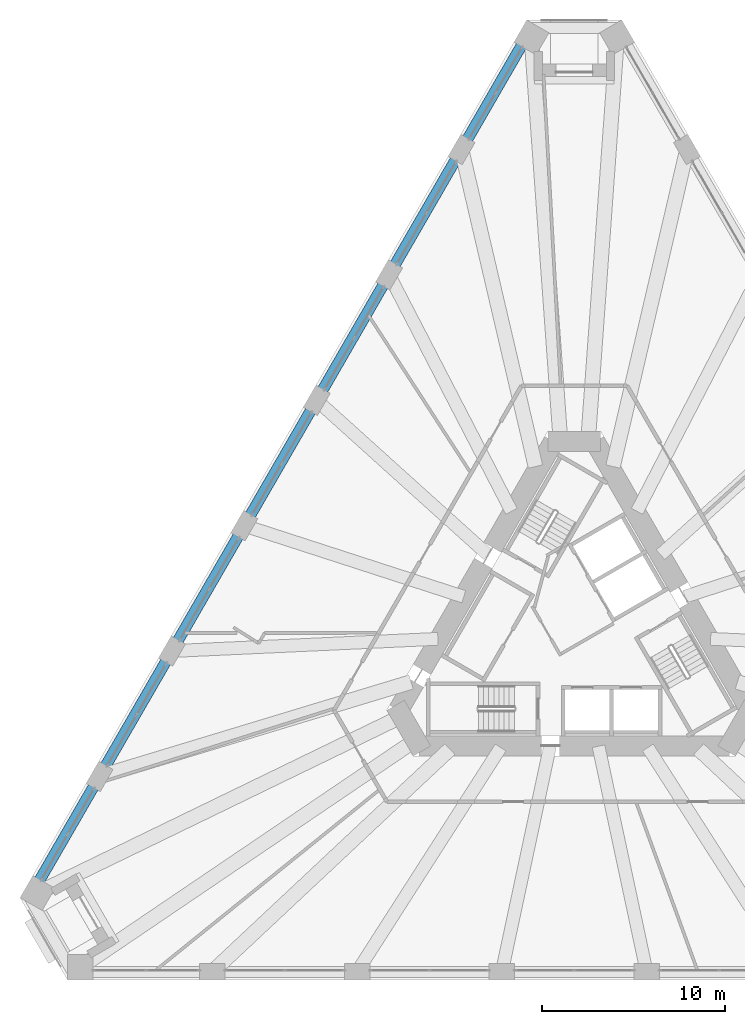
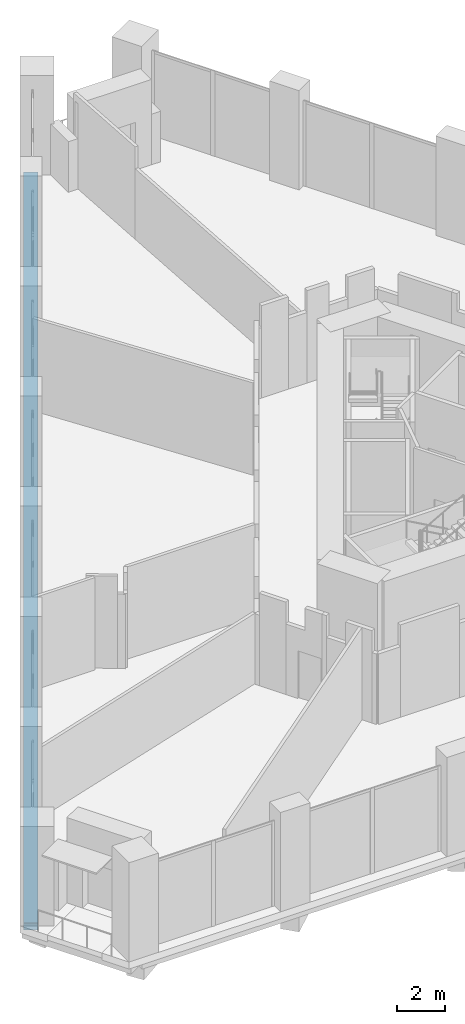
# One storey, part 5 of 20: 1 beam.
"""IFC4 building model written with IfcOpenShell, lengths in metres."""

import ifcopenshell
import ifcopenshell.guid

model = None  # the IFC model being written
_history = None  # IfcOwnerHistory: only IFC2X3 demands one
_inside = {}  # id of a spatial element -> (the spatial element, [elements in it])
_under = {}  # id of a project, library or spatial element -> (it, [spatial elements below it])
_declared = {}  # id of a project -> (the project, [libraries it declares])
_typed = {}  # id of a type object -> (the type object, [elements of that type])
_made_of = {}  # id of a material, layer set ... -> (it, [elements and type objects made of it])


def new_model(schema):
    """Start an empty IFC model of exactly this schema.

    Asked for "IFC4X3", IfcOpenShell would pick the latest addendum, in which some entities
    have other attributes; the version numbers below select the first issue.
    IFC2X3 requires an IfcOwnerHistory on every rooted entity: one is made here for all.
    """
    global model, _history
    if schema == "IFC4X3":
        model = ifcopenshell.file(schema_version=(4, 3, 0, 0))
    else:
        model = ifcopenshell.file(schema=schema)
    _inside.clear()
    _under.clear()
    _declared.clear()
    _typed.clear()
    _made_of.clear()
    _history = None
    if model.schema == "IFC2X3":
        org = make("IfcOrganization", Name="unknown")
        user = make(
            "IfcPersonAndOrganization",
            ThePerson=make("IfcPerson", FamilyName="unknown"),
            TheOrganization=org,
        )
        app = make(
            "IfcApplication",
            ApplicationDeveloper=org,
            Version="unknown",
            ApplicationFullName="unknown",
            ApplicationIdentifier="unknown",
        )
        _history = make(
            "IfcOwnerHistory",
            OwningUser=user,
            OwningApplication=app,
            ChangeAction="ADDED",
            CreationDate=0,
        )
    return model


def make(cls, **values):
    """One entity of the class cls with the attributes given. An attribute that is None is left unset."""
    return model.create_entity(
        cls, **{name: value for name, value in values.items() if value is not None}
    )


def rooted(cls, **values):
    """An entity with a GlobalId (a new one), such as an element, a storey or a relation."""
    return make(cls, GlobalId=ifcopenshell.guid.new(), OwnerHistory=_history, **values)


def si_unit(unit_type, name, prefix=None):
    """IfcSIUnit, for example si_unit("LENGTHUNIT", "METRE", prefix="MILLI")."""
    return make("IfcSIUnit", UnitType=unit_type, Prefix=prefix, Name=name)


def assignment(units):
    """IfcUnitAssignment: the units of a project."""
    return None if units is None else make("IfcUnitAssignment", Units=units)


def point(xyz):
    """IfcCartesianPoint."""
    return None if xyz is None else make("IfcCartesianPoint", Coordinates=xyz)


def direction(xyz):
    """IfcDirection."""
    return None if xyz is None else make("IfcDirection", DirectionRatios=xyz)


def frame(location, z_axis=None, x_axis=None):
    """IfcAxis2Placement3D, a coordinate frame: its origin and axes. An axis left out is left unset."""
    return make(
        "IfcAxis2Placement3D",
        Location=point(location),
        Axis=direction(z_axis),
        RefDirection=direction(x_axis),
    )


def frame_2d(location, x_axis=None):
    """IfcAxis2Placement2D, a coordinate frame in the plane: its origin and x axis."""
    return make(
        "IfcAxis2Placement2D", Location=point(location), RefDirection=direction(x_axis)
    )


def origin():
    """The frame at (0, 0, 0) with its axes left unset."""
    return frame((0.0, 0.0, 0.0))


def origin_2d():
    """The frame at (0, 0) in the plane with its x axis left unset."""
    return frame_2d((0.0, 0.0))


def place(relative_to, where):
    """IfcLocalPlacement: puts the frame where relative to a parent placement (None: the world)."""
    return make(
        "IfcLocalPlacement", PlacementRelTo=relative_to, RelativePlacement=where
    )


def context(
    kind, dimensions, precision=None, world=None, true_north=None, identifier=None
):
    """IfcGeometricRepresentationContext, for example the 3D "Model" context."""
    return make(
        "IfcGeometricRepresentationContext",
        ContextIdentifier=identifier,
        ContextType=kind,
        CoordinateSpaceDimension=dimensions,
        Precision=precision,
        WorldCoordinateSystem=world,
        TrueNorth=true_north,
    )


def subcontext(parent, identifier, kind, view, scale=None):
    """IfcGeometricRepresentationSubContext, for example "Body" below "Model"."""
    return make(
        "IfcGeometricRepresentationSubContext",
        ContextIdentifier=identifier,
        ContextType=kind,
        ParentContext=parent,
        TargetScale=scale,
        TargetView=view,
    )


def project(units=None, contexts=None):
    """IfcProject with its units and contexts."""
    return rooted(
        "IfcProject",
        Name="project",
        RepresentationContexts=contexts,
        UnitsInContext=assignment(units),
    )


def spatial(cls, under=None, at=None, **own):
    """A site, building, storey or space (cls), placed at a placement, below another one or the project."""
    s = rooted(cls, ObjectPlacement=at, **own)
    if under is not None:
        _under.setdefault(under.id(), (under, []))[1].append(s)
    return s


def profile(cls, at=None, kind="AREA", **sizes):
    """A parametric profile (cls). Its sizes go by their IFC names, for example OverallWidth=200.0."""
    return make(cls, ProfileType=kind, Position=at, **sizes)


def rectangle(**sizes):
    """IfcRectangleProfileDef."""
    return profile("IfcRectangleProfileDef", **sizes)


def extrude(swept, where, along, depth):
    """IfcExtrudedAreaSolid: the profile swept, set in the frame where, extruded along a direction by depth."""
    return make(
        "IfcExtrudedAreaSolid",
        SweptArea=swept,
        Position=where,
        ExtrudedDirection=direction(along),
        Depth=depth,
    )


def shape(context_of_items, identifier, shape_type, items):
    """IfcShapeRepresentation: the items that make up one representation, for example the "Body"."""
    return make(
        "IfcShapeRepresentation",
        ContextOfItems=context_of_items,
        RepresentationIdentifier=identifier,
        RepresentationType=shape_type,
        Items=items,
    )


def material(Name=None, Category=None):
    """IfcMaterial."""
    return make("IfcMaterial", Name=Name, Category=Category)


def material_profile(
    of_material, cross_section, Name=None, Category=None, Priority=None
):
    """IfcMaterialProfile: a cross section and its material."""
    return make(
        "IfcMaterialProfile",
        Name=Name,
        Material=of_material,
        Profile=cross_section,
        Priority=Priority,
        Category=Category,
    )


def profile_set(profiles, Name=None, composite=None):
    """IfcMaterialProfileSet."""
    return make(
        "IfcMaterialProfileSet",
        Name=Name,
        MaterialProfiles=profiles,
        CompositeProfile=composite,
    )


def made_of(thing, what):
    """Note that an element or type object is made of a material, layer set ...; save() writes the relation."""
    if what is not None:
        _made_of.setdefault(what.id(), (what, []))[1].append(thing)
    return thing


def type_object(cls, material=None, **own):
    """A type object (cls), such as IfcWallType, which elements share."""
    return made_of(rooted(cls, **own), material)


def element(
    cls,
    number,
    at=None,
    inside=None,
    cuts=None,
    type_object=None,
    material=None,
    context=None,
    identifier="Body",
    shape_type=None,
    held_by="IfcProductDefinitionShape",
    body=None,
    shapes=None,
    **own,
):
    """One element of the class cls, such as IfcWall. Its Tag is "e" and its number.

    at: its placement. inside: the storey or other place that contains it. cuts: it is an
    opening in that element (IfcRelVoidsElement). A single representation is given by context,
    identifier, shape_type and body (its items); several are given by shapes. held_by: the class
    of the entity that holds the representations. save() writes the other relations.
    """
    e = rooted(cls, Tag="e%d" % number, ObjectPlacement=at, **own)
    if body is not None:
        shapes = [shape(context, identifier, shape_type, body)]
    if shapes is not None:
        e.Representation = make(held_by, Representations=shapes)
    if inside is not None:
        _inside.setdefault(inside.id(), (inside, []))[1].append(e)
    if cuts is not None:
        rooted(
            "IfcRelVoidsElement", RelatingBuildingElement=cuts, RelatedOpeningElement=e
        )
    if type_object is not None:
        _typed.setdefault(type_object.id(), (type_object, []))[1].append(e)
    return made_of(e, material)


def aggregate(whole, parts):
    """IfcRelAggregates: a whole, such as a stair, and the parts it consists of."""
    return rooted("IfcRelAggregates", RelatingObject=whole, RelatedObjects=parts)


def save(model, path):
    """Write the relations noted so far, then the file.

    IfcRelAggregates (storeys below a building ...), IfcRelContainedInSpatialStructure (elements
    in a storey), IfcRelDefinesByType, IfcRelAssociatesMaterial and IfcRelDeclares: one each for
    every whole, place, type object, material and project.
    """
    for whole, parts in _under.values():
        aggregate(whole, parts)
    for where, things in _inside.values():
        rooted(
            "IfcRelContainedInSpatialStructure",
            RelatedElements=things,
            RelatingStructure=where,
        )
    for kind, things in _typed.values():
        rooted("IfcRelDefinesByType", RelatedObjects=things, RelatingType=kind)
    for what, things in _made_of.values():
        rooted("IfcRelAssociatesMaterial", RelatedObjects=things, RelatingMaterial=what)
    for by, libraries in _declared.values():
        rooted("IfcRelDeclares", RelatingContext=by, RelatedDefinitions=libraries)
    model.write(path)


model = new_model("IFC4")

# Units and contexts
model_context = context("Model", 3, precision=1e-05, world=origin(), true_north=direction((0.0, 1.0)))
body_context = subcontext(model_context, "Body", "Model", "MODEL_VIEW")
ifc_project = project(units=[si_unit("LENGTHUNIT", "METRE"), si_unit("AREAUNIT", "SQUARE_METRE"), si_unit("VOLUMEUNIT", "CUBIC_METRE"), si_unit("PLANEANGLEUNIT", "RADIAN"), si_unit("MASSUNIT", "GRAM", prefix="KILO")], contexts=[model_context])

# Site, building, storey
site_placement = place(None, origin())
site = spatial("IfcSite", under=ifc_project, at=site_placement, CompositionType="ELEMENT")
building_placement = place(site_placement, origin())
building = spatial("IfcBuilding", under=site, at=building_placement, Name="Tramontana Tower", CompositionType="ELEMENT")
storey_placement = place(building_placement, frame((0.0, 0.0, 10.0)))
storey = spatial("IfcBuildingStorey", under=building, at=storey_placement, Name="L01", CompositionType="ELEMENT", Elevation=10.0)

# Beam
ifc_material = material(Name="Concrete 40 MPa", Category="concrete")
ifc_material_profile = material_profile(ifc_material, rectangle(XDim=0.60009765625, YDim=0.35009765625, at=origin_2d()), Name="RC EDGE BEAM 600X350 40 MPa")
ifc_profile_set = profile_set([ifc_material_profile], Name="Concrete 40 MPa")
beam_type = type_object("IfcBeamType", Name="RC EDGE BEAM 600X350 40 MPa", PredefinedType="SPANDREL", material=ifc_profile_set)
beam_placement = place(storey_placement, frame((-2.558349609375, 32.668701171875, -0.52490234375), z_axis=(-0.500001490283, -0.866024543367, 0.0), x_axis=(0.866024543367, -0.500001490283, 0.0)))
element("IfcBeam", 1, at=beam_placement, inside=storey, type_object=beam_type, Name="Spandrel beam S0 L01", PredefinedType="SPANDREL", context=body_context, shape_type="SweptSolid", body=[
    extrude(rectangle(XDim=0.60009765625, YDim=0.35009765625, at=origin_2d()), origin(), (0.0, 0.0, 1.0), 54.025634765625),
])

save(model, "model.ifc")
